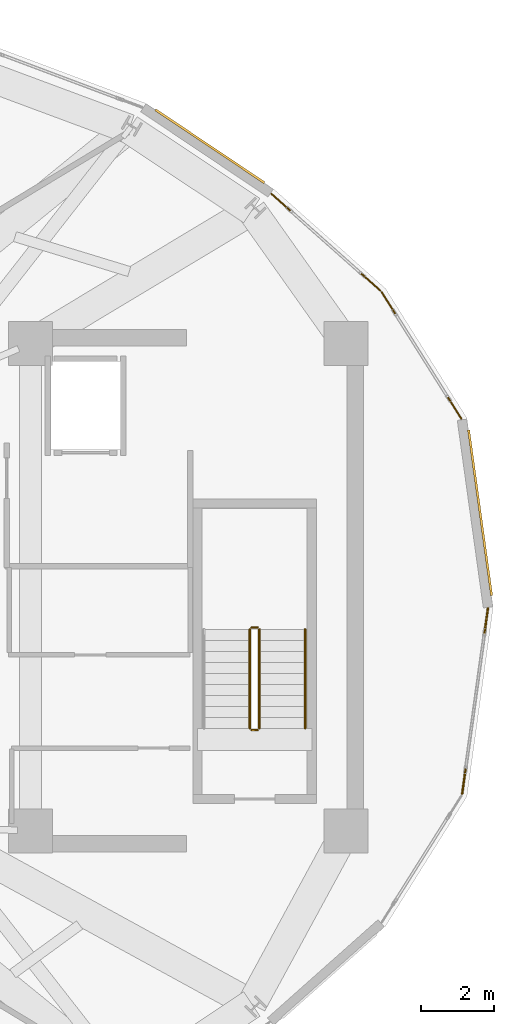
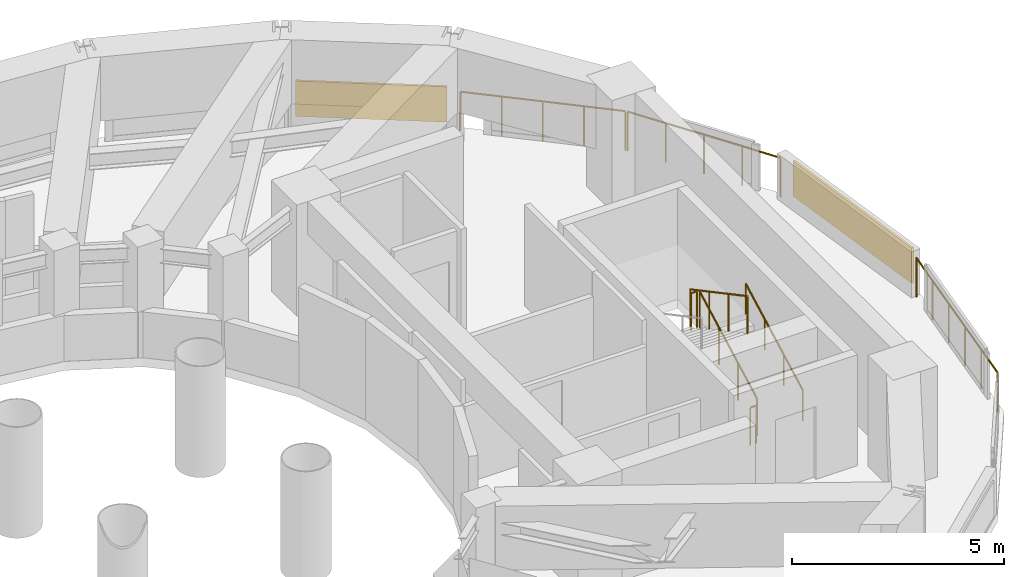
# One storey, part 18 of 18: 8 railings, 2 shading devices.
"""IFC4 building model written with IfcOpenShell, lengths in metres."""

from ifc_helpers import new_model, si_unit, direction, frame, origin, origin_2d, place, context, subcontext, project, spatial, rectangle, circle, extrude, material, layer, layer_set, type_object, element, save


model = new_model("IFC4")

# Units and contexts
model_context = context("Model", 3, precision=1e-05, world=origin(), true_north=direction((0.0, 1.0)))
body_context = subcontext(model_context, "Body", "Model", "MODEL_VIEW")
ifc_project = project(units=[si_unit("LENGTHUNIT", "METRE"), si_unit("AREAUNIT", "SQUARE_METRE"), si_unit("VOLUMEUNIT", "CUBIC_METRE"), si_unit("PLANEANGLEUNIT", "RADIAN"), si_unit("MASSUNIT", "GRAM", prefix="KILO")], contexts=[model_context])

# Site, building, storey
site_placement = place(None, origin())
site = spatial("IfcSite", under=ifc_project, at=site_placement, CompositionType="ELEMENT")
building_placement = place(site_placement, origin())
building = spatial("IfcBuilding", under=site, at=building_placement, Name="Solvane Sanctuary Tower", CompositionType="ELEMENT")
storey_placement = place(building_placement, frame((0.0, 0.0, 266.800048828125)))
storey = spatial("IfcBuildingStorey", under=building, at=storey_placement, Name="L81", CompositionType="ELEMENT", Elevation=266.800048828125)

# Railings
ifc_material_1 = material(Name="Architectural Stainless Steel 316", Category="steel")
railing_type_1 = type_object("IfcRailingType", Name="Railing GR-BALC-1150", PredefinedType="BALUSTRADE", material=ifc_material_1)
railing_1_placement = place(storey_placement, frame((51.852783203125, 28.14111328125, 0.0)))
element("IfcRailing", 1, at=railing_1_placement, inside=storey, type_object=railing_type_1, Name="L81 Crown Curtain-Wall Sill Guard 01", PredefinedType="BALUSTRADE", context=body_context, shape_type="SweptSolid", body=[
    extrude(circle(Radius=0.02392578125, at=origin_2d()), frame((0.0, 0.0, 1.1259765625), z_axis=(-0.53263562122, 0.846344666792, 0.0), x_axis=(-0.846344666792, -0.53263562122, 0.0)), (0.0, 0.0, 1.0), 4.082763671875),
    extrude(circle(Radius=0.02099609375, at=origin_2d()), origin(), (0.0, 0.0, 1.0), 1.101806640625),
    extrude(circle(Radius=0.02099609375, at=origin_2d()), frame((-0.543701171875, 0.86376953125, 0.0)), (0.0, 0.0, 1.0), 1.101806640625),
    extrude(circle(Radius=0.02099609375, at=origin_2d()), frame((-1.08740234375, 1.7275390625, 0.0)), (0.0, 0.0, 1.0), 1.101806640625),
    extrude(circle(Radius=0.02099609375, at=origin_2d()), frame((-1.630859375, 2.591552734375, 0.0)), (0.0, 0.0, 1.0), 1.101806640625),
    extrude(circle(Radius=0.02099609375, at=origin_2d()), frame((-2.174560546875, 3.455322265625, 0.0)), (0.0, 0.0, 1.0), 1.101806640625),
])
railing_2_placement = place(storey_placement, frame((49.639892578125, 31.6416015625, 0.0)))
element("IfcRailing", 2, at=railing_2_placement, inside=storey, type_object=railing_type_1, Name="L81 Crown Curtain-Wall Sill Guard 02", PredefinedType="BALUSTRADE", context=body_context, shape_type="SweptSolid", body=[
    extrude(circle(Radius=0.02392578125, at=origin_2d()), frame((0.0, 0.0, 1.1259765625), z_axis=(-0.74762284301, 0.664123546194, 0.0), x_axis=(-0.664123546194, -0.74762284301, 0.0)), (0.0, 0.0, 1.0), 3.9736328125),
    extrude(circle(Radius=0.02099609375, at=origin_2d()), origin(), (0.0, 0.0, 1.0), 1.101806640625),
    extrude(circle(Radius=0.02099609375, at=origin_2d()), frame((-0.74267578125, 0.65966796875, 0.0)), (0.0, 0.0, 1.0), 1.101806640625),
    extrude(circle(Radius=0.02099609375, at=origin_2d()), frame((-1.4853515625, 1.3193359375, 0.0)), (0.0, 0.0, 1.0), 1.101806640625),
    extrude(circle(Radius=0.02099609375, at=origin_2d()), frame((-2.22802734375, 1.979248046875, 0.0)), (0.0, 0.0, 1.0), 1.101806640625),
    extrude(circle(Radius=0.02099609375, at=origin_2d()), frame((-2.970703125, 2.638916015625, 0.0)), (0.0, 0.0, 1.0), 1.101806640625),
])
railing_3_placement = place(storey_placement, frame((51.873046875, 17.9140625, 0.0)))
element("IfcRailing", 3, at=railing_3_placement, inside=storey, type_object=railing_type_1, Name="L81 Crown Curtain-Wall Sill Guard 23", PredefinedType="BALUSTRADE", context=body_context, shape_type="SweptSolid", body=[
    extrude(circle(Radius=0.02392578125, at=origin_2d()), frame((0.0, 0.0, 1.1259765625), z_axis=(0.13769088573, 0.990475249558, 0.0), x_axis=(-0.990475249558, 0.13769088573, 0.0)), (0.0, 0.0, 1.0), 5.104736328125),
    extrude(circle(Radius=0.02099609375, at=origin_2d()), origin(), (0.0, 0.0, 1.0), 1.101806640625),
    extrude(circle(Radius=0.02099609375, at=origin_2d()), frame((0.140625, 1.01123046875, 0.0)), (0.0, 0.0, 1.0), 1.101806640625),
    extrude(circle(Radius=0.02099609375, at=origin_2d()), frame((0.28125, 2.0224609375, 0.0)), (0.0, 0.0, 1.0), 1.101806640625),
    extrude(circle(Radius=0.02099609375, at=origin_2d()), frame((0.421630859375, 3.03369140625, 0.0)), (0.0, 0.0, 1.0), 1.101806640625),
    extrude(circle(Radius=0.02099609375, at=origin_2d()), frame((0.562255859375, 4.044921875, 0.0)), (0.0, 0.0, 1.0), 1.101806640625),
    extrude(circle(Radius=0.02099609375, at=origin_2d()), frame((0.702880859375, 5.05615234375, 0.0)), (0.0, 0.0, 1.0), 1.101806640625),
])
railing_4_placement = place(storey_placement, frame((46.340087890625, 19.699951171875, 0.159912109375)))
element("IfcRailing", 4, at=railing_4_placement, inside=storey, type_object=railing_type_1, Name="L81 ST-2 stair guard 1", PredefinedType="BALUSTRADE", context=body_context, shape_type="SweptSolid", body=[
    extrude(circle(Radius=0.02392578125, at=origin_2d()), frame((0.0, 0.0, 1.076171875), z_axis=(0.0, 0.882357358376, 0.470579952952), x_axis=(-1.0, 0.0, 0.0)), (0.0, 0.0, 1.0), 3.059814453125),
    extrude(circle(Radius=0.02099609375, at=origin_2d()), origin(), (0.0, 0.0, 1.0), 1.052001953125),
    extrude(circle(Radius=0.02099609375, at=origin_2d()), frame((0.0, 0.89990234375, 0.47998046875)), (0.0, 0.0, 1.0), 1.052001953125),
    extrude(circle(Radius=0.02099609375, at=origin_2d()), frame((0.0, 1.800048828125, 0.9599609375)), (0.0, 0.0, 1.0), 1.052001953125),
    extrude(circle(Radius=0.02099609375, at=origin_2d()), frame((0.0, 2.699951171875, 1.43994140625)), (0.0, 0.0, 1.0), 1.052001953125),
])
railing_5_placement = place(storey_placement, frame((46.2900390625, 22.449951171875, 1.599853515625)))
element("IfcRailing", 5, at=railing_5_placement, inside=storey, type_object=railing_type_1, Name="L81 ST-2 stair guard 2", PredefinedType="BALUSTRADE", context=body_context, shape_type="SweptSolid", body=[
    extrude(circle(Radius=0.02392578125, at=origin_2d()), frame((0.0, 0.0, 1.076171875), z_axis=(-1.0, 0.0, 0.0), x_axis=(0.0, -1.0, 0.0)), (0.0, 0.0, 1.0), 0.16015625),
    extrude(circle(Radius=0.02099609375, at=origin_2d()), origin(), (0.0, 0.0, 1.0), 1.052001953125),
    extrude(circle(Radius=0.02099609375, at=origin_2d()), frame((-0.16015625, 0.0, 0.0)), (0.0, 0.0, 1.0), 1.052001953125),
])
railing_6_placement = place(storey_placement, frame((46.080078125, 22.39990234375, 1.760009765625)))
element("IfcRailing", 6, at=railing_6_placement, inside=storey, type_object=railing_type_1, Name="L81 ST-2 stair guard 3", PredefinedType="BALUSTRADE", context=body_context, shape_type="SweptSolid", body=[
    extrude(circle(Radius=0.02392578125, at=origin_2d()), frame((0.0, 0.0, 1.076171875), z_axis=(0.0, -0.882357358376, 0.470579952952), x_axis=(1.0, 0.0, 0.0)), (0.0, 0.0, 1.0), 3.059814453125),
    extrude(circle(Radius=0.02099609375, at=origin_2d()), origin(), (0.0, 0.0, 1.0), 1.052001953125),
    extrude(circle(Radius=0.02099609375, at=origin_2d()), frame((0.0, -0.89990234375, 0.47998046875)), (0.0, 0.0, 1.0), 1.052001953125),
    extrude(circle(Radius=0.02099609375, at=origin_2d()), frame((0.0, -1.800048828125, 0.9599609375)), (0.0, 0.0, 1.0), 1.052001953125),
    extrude(circle(Radius=0.02099609375, at=origin_2d()), frame((0.0, -2.699951171875, 1.43994140625)), (0.0, 0.0, 1.0), 1.052001953125),
])
railing_7_placement = place(storey_placement, frame((46.2900390625, 19.64990234375, 0.0)))
element("IfcRailing", 7, at=railing_7_placement, inside=storey, type_object=railing_type_1, Name="L81 ST-2 stair guard 4", PredefinedType="BALUSTRADE", context=body_context, shape_type="SweptSolid", body=[
    extrude(circle(Radius=0.02392578125, at=origin_2d()), frame((0.0, 0.0, 1.076171875), z_axis=(-1.0, 0.0, 0.0), x_axis=(0.0, -1.0, 0.0)), (0.0, 0.0, 1.0), 0.16015625),
    extrude(circle(Radius=0.02099609375, at=origin_2d()), origin(), (0.0, 0.0, 1.0), 1.052001953125),
    extrude(circle(Radius=0.02099609375, at=origin_2d()), frame((-0.16015625, 0.0, 0.0)), (0.0, 0.0, 1.0), 1.052001953125),
])
railing_type_2 = type_object("IfcRailingType", Name="Railing HR-STAIR-920", PredefinedType="HANDRAIL", material=ifc_material_1)
railing_8_placement = place(storey_placement, frame((47.590087890625, 19.699951171875, 0.159912109375)))
element("IfcRailing", 8, at=railing_8_placement, inside=storey, type_object=railing_type_2, Name="L81 ST-2 stair handrail 1", PredefinedType="HANDRAIL", context=body_context, shape_type="SweptSolid", body=[
    extrude(circle(Radius=0.02392578125, at=origin_2d()), frame((0.0, 0.0, 0.8759765625), z_axis=(0.0, 0.882357358376, 0.470579952952), x_axis=(-1.0, 0.0, 0.0)), (0.0, 0.0, 1.0), 3.059814453125),
    extrude(circle(Radius=0.02099609375, at=origin_2d()), origin(), (0.0, 0.0, 1.0), 0.851806640625),
    extrude(circle(Radius=0.02099609375, at=origin_2d()), frame((0.0, 0.89990234375, 0.47998046875)), (0.0, 0.0, 1.0), 0.851806640625),
    extrude(circle(Radius=0.02099609375, at=origin_2d()), frame((0.0, 1.800048828125, 0.9599609375)), (0.0, 0.0, 1.0), 0.851806640625),
    extrude(circle(Radius=0.02099609375, at=origin_2d()), frame((0.0, 2.699951171875, 1.43994140625)), (0.0, 0.0, 1.0), 0.851806640625),
])

# Shading devices
ifc_material_2 = material(Name="Anodised Aluminium 6063-T6", Category="aluminium")
ifc_layer = layer(ifc_material_2, 0.06005859375, Name="Anodised Aluminium 6063-T6")
ifc_layer_set = layer_set([ifc_layer], Name="Anodised Aluminium 6063-T6")
shading_device_type = type_object("IfcShadingDeviceType", Name="Shading SHD-LOUVRE", PredefinedType="JALOUSIE", material=ifc_layer_set)
shading_device_1_placement = place(storey_placement, frame((52.363037109375, 25.5771484375, 0.14990234375), z_axis=(0.0, 0.0, 1.0), x_axis=(-0.137679654222, 0.990476810841, 0.0)))
element("IfcShadingDevice", 9, at=shading_device_1_placement, inside=storey, type_object=shading_device_type, Name="L81 Crown Storm Louvre Panel 00", PredefinedType="JALOUSIE", context=body_context, shape_type="SweptSolid", body=[
    extrude(rectangle(XDim=4.56494140625, YDim=0.06005859375, at=origin_2d()), origin(), (0.0, 0.0, 1.0), 1.02001953125),
])
shading_device_2_placement = place(storey_placement, frame((44.98876953125, 35.579833984375, 0.14990234375), z_axis=(0.0, 0.0, 1.0), x_axis=(-0.83070085302, 0.556719042958, 0.0)))
element("IfcShadingDevice", 10, at=shading_device_2_placement, inside=storey, type_object=shading_device_type, Name="L81 Crown Storm Louvre Panel 03", PredefinedType="JALOUSIE", context=body_context, shape_type="SweptSolid", body=[
    extrude(rectangle(XDim=3.5791015625, YDim=0.06005859375, at=origin_2d()), origin(), (0.0, 0.0, 1.0), 1.02001953125),
])

save(model, "model.ifc")
